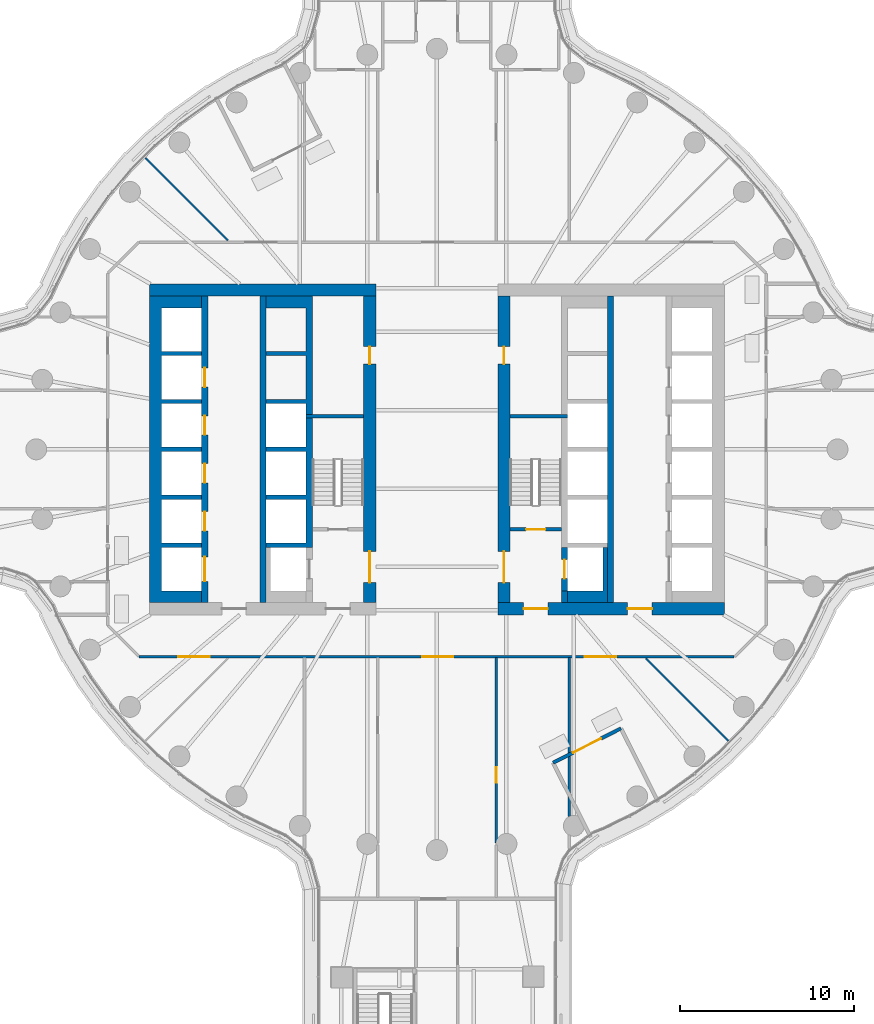
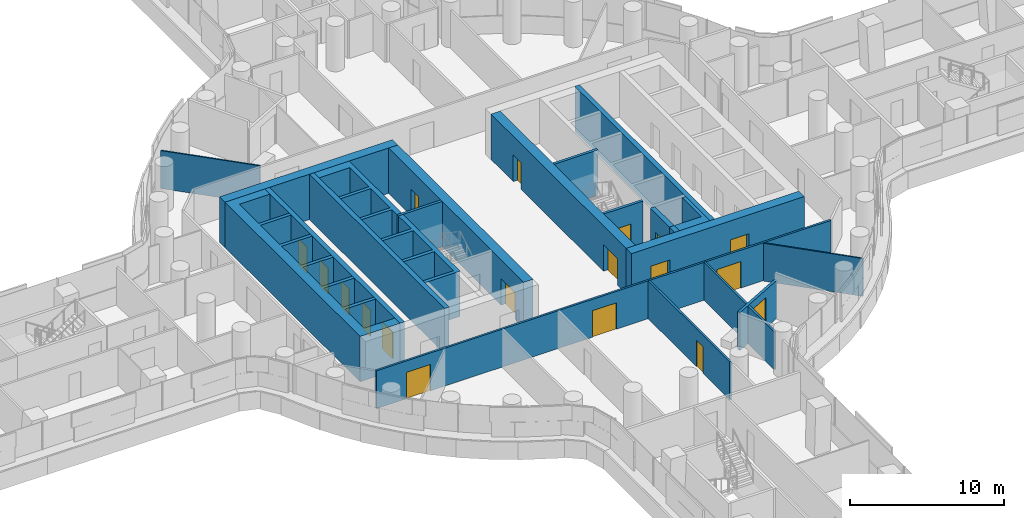
# One storey, part 21 of 32: 21 walls, 18 doors, 18 openings.
"""IFC4 building model written with IfcOpenShell, lengths in metres."""

from ifc_helpers import new_model, si_unit, direction, frame, frame_2d, origin, place, context, subcontext, project, spatial, polyline, rectangle, outline, extrude, material, layer, layer_set, type_object, element, fill, save


model = new_model("IFC4")

# Units and contexts
model_context = context("Model", 3, precision=1e-05, world=origin(), true_north=direction((0.0, 1.0)))
body_context = subcontext(model_context, "Body", "Model", "MODEL_VIEW")
ifc_project = project(units=[si_unit("LENGTHUNIT", "METRE"), si_unit("AREAUNIT", "SQUARE_METRE"), si_unit("VOLUMEUNIT", "CUBIC_METRE"), si_unit("PLANEANGLEUNIT", "RADIAN"), si_unit("MASSUNIT", "GRAM", prefix="KILO")], contexts=[model_context])

# Site, building, storey
site_placement = place(None, origin())
site = spatial("IfcSite", under=ifc_project, at=site_placement, CompositionType="ELEMENT")
building_placement = place(site_placement, origin())
building = spatial("IfcBuilding", under=site, at=building_placement, Name="Tamarind Cross Interchange Tower", CompositionType="ELEMENT")
storey_placement = place(building_placement, frame((0.0, 0.0, 34.0)))
storey = spatial("IfcBuildingStorey", under=building, at=storey_placement, Name="L06", CompositionType="ELEMENT", Elevation=34.0)

# Wall, opening, door
ifc_material_1 = material(Name="Concrete C40", Category="concrete")
ifc_layer_1 = layer(ifc_material_1, 0.199951171875)
ifc_layer_set_1 = layer_set([ifc_layer_1], Name="Concrete C40")
wall_type_1 = type_object("IfcWallType", Name="Balcony and garden door wall", PredefinedType="SOLIDWALL", material=ifc_layer_set_1)
wall_1_placement = place(storey_placement, frame((6.669677734375, -17.99365234375, 0.0), z_axis=(0.0, 0.0, 1.0), x_axis=(0.892213621069, 0.451613611818, 0.0)))
wall_1 = element("IfcWall", 1, at=wall_1_placement, inside=storey, type_object=wall_type_1, Name="EXW-L06-WG-L06-SE", PredefinedType="SOLIDWALL", context=body_context, shape_type="SweptSolid", body=[
    extrude(rectangle(XDim=4.366943359375, YDim=0.199951171875, at=frame_2d((2.18359375, 0.0))), origin(), (0.0, 0.0, 1.0), 3.013916015625),
])
opening_1_placement = place(wall_1_placement, frame((1.283447265625, 0.0, 0.0)))
opening_1 = element("IfcOpeningElement", 2, at=opening_1_placement, cuts=wall_1, Name="Opening D5", PredefinedType="OPENING", context=body_context, shape_type="SweptSolid", body=[
    extrude(rectangle(XDim=1.800048828125, YDim=2.39990234375, at=frame_2d((0.89990234375, 1.199951171875))), frame((0.0, 0.10986328125, 0.0), z_axis=(0.0, -1.0, 0.0), x_axis=(1.0, 0.0, 0.0)), (0.0, 0.0, 1.0), 0.219970703125),
])
ifc_material_2 = material(Name="Aluminium and toughened glass", Category="aluminium")
door_type_1 = type_object("IfcDoorType", Name="Roof garden door", OperationType="DOUBLE_DOOR_SINGLE_SWING", PredefinedType="DOOR", material=ifc_material_2)
door_1_placement = place(opening_1_placement, origin())
door_1 = element("IfcDoor", 3, at=door_1_placement, inside=storey, type_object=door_type_1, Name="DOR-L06-WG-L06-SE", OperationType="SINGLE_SWING_LEFT", OverallHeight=2.39990234375, OverallWidth=1.800048828125, PredefinedType="DOOR", context=body_context, shape_type="SweptSolid", body=[
    extrude(rectangle(XDim=1.800048828125, YDim=2.39990234375, at=frame_2d((0.89990234375, 1.199951171875))), frame((0.0, 0.02490234375, 0.0), z_axis=(0.0, -1.0, 0.0), x_axis=(1.0, 0.0, 0.0)), (0.0, 0.0, 1.0), 0.050048828125),
])
fill(opening_1, door_1)

# Walls
ifc_material_3 = material(Name="Concrete C80", Category="concrete")
ifc_layer_2 = layer(ifc_material_3, 0.699951171875)
ifc_layer_set_2 = layer_set([ifc_layer_2], Name="Concrete C80")
wall_type_2 = type_object("IfcWallType", Name="Core wall 700 mm Concrete C80", PredefinedType="SHEAR", material=ifc_layer_set_2)
wall_2_placement = place(storey_placement, origin())
element("IfcWall", 4, at=wall_2_placement, inside=storey, type_object=wall_type_2, Name="Core wall CWL-L06-W-A", PredefinedType="SHEAR", context=body_context, shape_type="SweptSolid", body=[
    extrude(outline(polyline([(-13.5, -8.800048828125), (-13.5, -8.125), (-15.800048828125, -8.125), (-15.800048828125, -5.625), (-13.5, -5.625), (-13.5, -5.375), (-15.800048828125, -5.375), (-15.800048828125, -2.875), (-13.5, -2.875), (-13.5, -2.625), (-15.800048828125, -2.625), (-15.800048828125, -0.125), (-13.5, -0.125), (-13.5, 0.125), (-15.800048828125, 0.125), (-15.800048828125, 2.625), (-13.5, 2.625), (-13.5, 2.875), (-15.800048828125, 2.875), (-15.800048828125, 5.375), (-13.5, 5.375), (-13.5, 5.625), (-15.800048828125, 5.625), (-15.800048828125, 8.125), (-13.5, 8.125), (-13.5, 8.800048828125), (-15.800048828125, 8.800048828125), (-16.5, 8.800048828125), (-16.5, -8.800048828125), (-15.800048828125, -8.800048828125), (-13.5, -8.800048828125)])), origin(), (0.0, 0.0, 1.0), 3.610107421875),
])
wall_3_placement = place(storey_placement, frame((-16.5, 9.14990234375, 0.0), z_axis=(0.0, 0.0, 1.0), x_axis=(1.0, 0.0, 0.0)))
element("IfcWall", 5, at=wall_3_placement, inside=storey, type_object=wall_type_2, Name="Core wall CWL-L06-W-NE", PredefinedType="SHEAR", context=body_context, shape_type="SweptSolid", body=[
    extrude(rectangle(XDim=13.0, YDim=0.699951171875, at=frame_2d((6.5, 0.0))), origin(), (0.0, 0.0, 1.0), 3.610107421875),
])

# Wall, openings, doors
wall_4_placement = place(storey_placement, frame((-3.85009765625, -8.800048828125, 0.0), z_axis=(0.0, 0.0, 1.0), x_axis=(0.0, 1.0, 0.0)))
wall_4 = element("IfcWall", 6, at=wall_4_placement, inside=storey, type_object=wall_type_2, Name="Core wall CWL-L06-W-IN", PredefinedType="SHEAR", context=body_context, shape_type="SweptSolid", body=[
    extrude(rectangle(XDim=17.60009765625, YDim=0.699951171875, at=frame_2d((8.800048828125, 0.0))), origin(), (0.0, 0.0, 1.0), 3.610107421875),
])
opening_2_placement = place(wall_4_placement, frame((1.14990234375, 0.0, 0.0)))
opening_2 = element("IfcOpeningElement", 7, at=opening_2_placement, cuts=wall_4, Name="Opening DCW4", PredefinedType="OPENING", context=body_context, shape_type="SweptSolid", body=[
    extrude(rectangle(XDim=1.800048828125, YDim=2.10009765625, at=frame_2d((0.89990234375, 1.050048828125))), frame((0.0, 0.35986328125, 0.0), z_axis=(0.0, -1.0, 0.0), x_axis=(1.0, 0.0, 0.0)), (0.0, 0.0, 1.0), 0.719970703125),
])
opening_3_placement = place(wall_4_placement, frame((13.699951171875, 0.0, 0.0)))
opening_3 = element("IfcOpeningElement", 8, at=opening_3_placement, cuts=wall_4, Name="Opening DCW5", PredefinedType="OPENING", context=body_context, shape_type="SweptSolid", body=[
    extrude(rectangle(XDim=1.0, YDim=2.10009765625, at=frame_2d((0.5, 1.050048828125))), frame((0.0, 0.35986328125, 0.0), z_axis=(0.0, -1.0, 0.0), x_axis=(1.0, 0.0, 0.0)), (0.0, 0.0, 1.0), 0.719970703125),
])
ifc_material_4 = material(Name="Steel, fire-resisting", Category="steel")
door_type_2 = type_object("IfcDoorType", Name="Core fire door 1000 x 2100 FD90", OperationType="SINGLE_SWING_LEFT", PredefinedType="DOOR", material=ifc_material_4)
door_2_placement = place(opening_3_placement, origin())
door_2 = element("IfcDoor", 9, at=door_2_placement, inside=storey, type_object=door_type_2, Name="L06 riser room door", OperationType="SINGLE_SWING_LEFT", OverallHeight=2.10009765625, OverallWidth=1.0, PredefinedType="DOOR", context=body_context, shape_type="SweptSolid", body=[
    extrude(rectangle(XDim=1.0, YDim=2.10009765625, at=frame_2d((0.5, 1.050048828125))), frame((0.0, 0.02490234375, 0.0), z_axis=(0.0, -1.0, 0.0), x_axis=(1.0, 0.0, 0.0)), (0.0, 0.0, 1.0), 0.050048828125),
])
fill(opening_3, door_2)
door_type_3 = type_object("IfcDoorType", Name="Core fire door 1800 x 2100 FD90", OperationType="SINGLE_SWING_LEFT", PredefinedType="DOOR", material=ifc_material_4)
door_3_placement = place(opening_2_placement, origin())
door_3 = element("IfcDoor", 10, at=door_3_placement, inside=storey, type_object=door_type_3, Name="L06 firefighting lobby door", OperationType="SINGLE_SWING_LEFT", OverallHeight=2.10009765625, OverallWidth=1.800048828125, PredefinedType="DOOR", context=body_context, shape_type="SweptSolid", body=[
    extrude(rectangle(XDim=1.800048828125, YDim=2.10009765625, at=frame_2d((0.89990234375, 1.050048828125))), frame((0.0, 0.02490234375, 0.0), z_axis=(0.0, -1.0, 0.0), x_axis=(1.0, 0.0, 0.0)), (0.0, 0.0, 1.0), 0.050048828125),
])
fill(opening_2, door_3)

wall_5_placement = place(storey_placement, frame((16.5, -9.14990234375, 0.0), z_axis=(0.0, 0.0, 1.0), x_axis=(-1.0, 0.0, 0.0)))
wall_5 = element("IfcWall", 11, at=wall_5_placement, inside=storey, type_object=wall_type_2, Name="Core wall CWL-L06-E-S", PredefinedType="SHEAR", context=body_context, shape_type="SweptSolid", body=[
    extrude(rectangle(XDim=13.0, YDim=0.699951171875, at=frame_2d((6.5, 0.0))), origin(), (0.0, 0.0, 1.0), 3.610107421875),
])
opening_4_placement = place(wall_5_placement, frame((4.14990234375, 0.0, 0.0)))
opening_4 = element("IfcOpeningElement", 12, at=opening_4_placement, cuts=wall_5, Name="Opening DCE1", PredefinedType="OPENING", context=body_context, shape_type="SweptSolid", body=[
    extrude(rectangle(XDim=1.39990234375, YDim=2.10009765625, at=frame_2d((0.699951171875, 1.050048828125))), frame((0.0, 0.35986328125, 0.0), z_axis=(0.0, -1.0, 0.0), x_axis=(1.0, 0.0, 0.0)), (0.0, 0.0, 1.0), 0.719970703125),
])
opening_5_placement = place(wall_5_placement, frame((10.125, 0.0, 0.0)))
opening_5 = element("IfcOpeningElement", 13, at=opening_5_placement, cuts=wall_5, Name="Opening DCEF", PredefinedType="OPENING", context=body_context, shape_type="SweptSolid", body=[
    extrude(rectangle(XDim=1.39990234375, YDim=2.10009765625, at=frame_2d((0.699951171875, 1.050048828125))), frame((0.0, 0.35986328125, 0.0), z_axis=(0.0, -1.0, 0.0), x_axis=(1.0, 0.0, 0.0)), (0.0, 0.0, 1.0), 0.719970703125),
])
door_type_4 = type_object("IfcDoorType", Name="Core fire door 1400 x 2100 FD90", OperationType="SINGLE_SWING_LEFT", PredefinedType="DOOR", material=ifc_material_4)
door_4_placement = place(opening_4_placement, origin())
door_4 = element("IfcDoor", 14, at=door_4_placement, inside=storey, type_object=door_type_4, Name="L06 lift lobby door", OperationType="SINGLE_SWING_LEFT", OverallHeight=2.10009765625, OverallWidth=1.39990234375, PredefinedType="DOOR", context=body_context, shape_type="SweptSolid", body=[
    extrude(rectangle(XDim=1.39990234375, YDim=2.10009765625, at=frame_2d((0.699951171875, 1.050048828125))), frame((0.0, 0.02490234375, 0.0), z_axis=(0.0, -1.0, 0.0), x_axis=(1.0, 0.0, 0.0)), (0.0, 0.0, 1.0), 0.050048828125),
])
fill(opening_4, door_4)
door_5_placement = place(opening_5_placement, origin())
door_5 = element("IfcDoor", 15, at=door_5_placement, inside=storey, type_object=door_type_4, Name="L06 firefighting lobby end door", OperationType="SINGLE_SWING_LEFT", OverallHeight=2.10009765625, OverallWidth=1.39990234375, PredefinedType="DOOR", context=body_context, shape_type="SweptSolid", body=[
    extrude(rectangle(XDim=1.39990234375, YDim=2.10009765625, at=frame_2d((0.699951171875, 1.050048828125))), frame((0.0, 0.02490234375, 0.0), z_axis=(0.0, -1.0, 0.0), x_axis=(1.0, 0.0, 0.0)), (0.0, 0.0, 1.0), 0.050048828125),
])
fill(opening_5, door_5)

wall_6_placement = place(storey_placement, frame((3.85009765625, -8.800048828125, 0.0), z_axis=(0.0, 0.0, 1.0), x_axis=(0.0, 1.0, 0.0)))
wall_6 = element("IfcWall", 16, at=wall_6_placement, inside=storey, type_object=wall_type_2, Name="Core wall CWL-L06-E-IN", PredefinedType="SHEAR", context=body_context, shape_type="SweptSolid", body=[
    extrude(rectangle(XDim=17.60009765625, YDim=0.699951171875, at=frame_2d((8.800048828125, 0.0))), origin(), (0.0, 0.0, 1.0), 3.610107421875),
])
opening_6_placement = place(wall_6_placement, frame((1.14990234375, 0.0, 0.0)))
opening_6 = element("IfcOpeningElement", 17, at=opening_6_placement, cuts=wall_6, Name="Opening DCE4", PredefinedType="OPENING", context=body_context, shape_type="SweptSolid", body=[
    extrude(rectangle(XDim=1.800048828125, YDim=2.10009765625, at=frame_2d((0.89990234375, 1.050048828125))), frame((0.0, 0.35986328125, 0.0), z_axis=(0.0, -1.0, 0.0), x_axis=(1.0, 0.0, 0.0)), (0.0, 0.0, 1.0), 0.719970703125),
])
opening_7_placement = place(wall_6_placement, frame((13.699951171875, 0.0, 0.0)))
opening_7 = element("IfcOpeningElement", 18, at=opening_7_placement, cuts=wall_6, Name="Opening DCE5", PredefinedType="OPENING", context=body_context, shape_type="SweptSolid", body=[
    extrude(rectangle(XDim=1.0, YDim=2.10009765625, at=frame_2d((0.5, 1.050048828125))), frame((0.0, 0.35986328125, 0.0), z_axis=(0.0, -1.0, 0.0), x_axis=(1.0, 0.0, 0.0)), (0.0, 0.0, 1.0), 0.719970703125),
])
door_6_placement = place(opening_7_placement, origin())
door_6 = element("IfcDoor", 19, at=door_6_placement, inside=storey, type_object=door_type_2, Name="L06 riser room door", OperationType="SINGLE_SWING_LEFT", OverallHeight=2.10009765625, OverallWidth=1.0, PredefinedType="DOOR", context=body_context, shape_type="SweptSolid", body=[
    extrude(rectangle(XDim=1.0, YDim=2.10009765625, at=frame_2d((0.5, 1.050048828125))), frame((0.0, 0.02490234375, 0.0), z_axis=(0.0, -1.0, 0.0), x_axis=(1.0, 0.0, 0.0)), (0.0, 0.0, 1.0), 0.050048828125),
])
fill(opening_7, door_6)
door_7_placement = place(opening_6_placement, origin())
door_7 = element("IfcDoor", 20, at=door_7_placement, inside=storey, type_object=door_type_3, Name="L06 firefighting lobby door", OperationType="SINGLE_SWING_LEFT", OverallHeight=2.10009765625, OverallWidth=1.800048828125, PredefinedType="DOOR", context=body_context, shape_type="SweptSolid", body=[
    extrude(rectangle(XDim=1.800048828125, YDim=2.10009765625, at=frame_2d((0.89990234375, 1.050048828125))), frame((0.0, 0.02490234375, 0.0), z_axis=(0.0, -1.0, 0.0), x_axis=(1.0, 0.0, 0.0)), (0.0, 0.0, 1.0), 0.050048828125),
])
fill(opening_6, door_7)

# Walls
ifc_layer_3 = layer(ifc_material_3, 0.199951171875)
ifc_layer_set_3 = layer_set([ifc_layer_3], Name="Concrete C80")
wall_type_3 = type_object("IfcWallType", Name="Core web wall 200 mm Concrete C80", PredefinedType="SHEAR", material=ifc_layer_set_3)
for number, where, z_axis, x_axis, name in (
    (21, (-7.5, 1.89990234375, 0.0), (0.0, 0.0, 1.0), (1.0, 0.0, 0.0), "Core wall CWL-L06-W-BD"),
    (22, (7.5, 1.89990234375, 0.0), (0.0, 0.0, 1.0), (-1.0, 0.0, 0.0), "Core wall CWL-L06-E-BD"),
):
    element("IfcWall", number, at=place(storey_placement, frame(where, z_axis=z_axis, x_axis=x_axis)), inside=storey, type_object=wall_type_3, Name=name, PredefinedType="SHEAR", context=body_context, shape_type="SweptSolid", body=[
        extrude(rectangle(XDim=3.300048828125, YDim=0.199951171875, at=frame_2d((1.64990234375, 0.0))), origin(), (0.0, 0.0, 1.0), 3.610107421875),
    ])
ifc_layer_4 = layer(ifc_material_3, 0.35009765625)
ifc_layer_set_4 = layer_set([ifc_layer_4], Name="Concrete C80")
wall_type_4 = type_object("IfcWallType", Name="Core web wall 350 mm Concrete C80", PredefinedType="SHEAR", material=ifc_layer_set_4)
wall_7_placement = place(storey_placement, origin())
element("IfcWall", 23, at=wall_7_placement, inside=storey, type_object=wall_type_4, Name="Core wall CWL-L06-W-BN", PredefinedType="SHEAR", context=body_context, shape_type="SweptSolid", body=[
    extrude(outline(polyline([(-9.800048828125, -5.375), (-9.800048828125, -5.625), (-7.5, -5.625), (-7.14990234375, -5.625), (-7.14990234375, 8.800048828125), (-7.5, 8.800048828125), (-9.800048828125, 8.800048828125), (-9.800048828125, 8.125), (-7.5, 8.125), (-7.5, 5.625), (-9.800048828125, 5.625), (-9.800048828125, 5.375), (-7.5, 5.375), (-7.5, 2.875), (-9.800048828125, 2.875), (-9.800048828125, 2.625), (-7.5, 2.625), (-7.5, 0.125), (-9.800048828125, 0.125), (-9.800048828125, -0.125), (-7.5, -0.125), (-7.5, -2.625), (-9.800048828125, -2.625), (-9.800048828125, -2.875), (-7.5, -2.875), (-7.5, -5.375), (-9.800048828125, -5.375)])), origin(), (0.0, 0.0, 1.0), 3.610107421875),
])

# Wall, openings, doors
wall_8_placement = place(storey_placement, frame((-13.324951171875, -8.800048828125, 0.0), z_axis=(0.0, 0.0, 1.0), x_axis=(0.0, 1.0, 0.0)))
wall_8 = element("IfcWall", 24, at=wall_8_placement, inside=storey, type_object=wall_type_4, Name="Core wall CWL-L06-W-LA", PredefinedType="SHEAR", context=body_context, shape_type="SweptSolid", body=[
    extrude(rectangle(XDim=17.60009765625, YDim=0.35009765625, at=frame_2d((8.800048828125, 0.0))), origin(), (0.0, 0.0, 1.0), 3.610107421875),
])
opening_8_placement = place(wall_8_placement, frame((1.22509765625, 0.0, 0.0)))
opening_8 = element("IfcOpeningElement", 25, at=opening_8_placement, cuts=wall_8, Name="Opening LD1L06", PredefinedType="OPENING", context=body_context, shape_type="SweptSolid", body=[
    extrude(rectangle(XDim=1.39990234375, YDim=2.10009765625, at=frame_2d((0.699951171875, 1.050048828125))), frame((0.0, 0.18505859375, 0.0), z_axis=(0.0, -1.0, 0.0), x_axis=(1.0, 0.0, 0.0)), (0.0, 0.0, 1.0), 0.3701171875),
])
opening_9_placement = place(wall_8_placement, frame((4.125, 0.0, 0.0)))
opening_9 = element("IfcOpeningElement", 26, at=opening_9_placement, cuts=wall_8, Name="Opening LD2L06", PredefinedType="OPENING", context=body_context, shape_type="SweptSolid", body=[
    extrude(rectangle(XDim=1.10009765625, YDim=2.10009765625, at=frame_2d((0.550048828125, 1.050048828125))), frame((0.0, 0.18505859375, 0.0), z_axis=(0.0, -1.0, 0.0), x_axis=(1.0, 0.0, 0.0)), (0.0, 0.0, 1.0), 0.3701171875),
])
opening_10_placement = place(wall_8_placement, frame((6.875, 0.0, 0.0)))
opening_10 = element("IfcOpeningElement", 27, at=opening_10_placement, cuts=wall_8, Name="Opening LD3L06", PredefinedType="OPENING", context=body_context, shape_type="SweptSolid", body=[
    extrude(rectangle(XDim=1.10009765625, YDim=2.10009765625, at=frame_2d((0.550048828125, 1.050048828125))), frame((0.0, 0.18505859375, 0.0), z_axis=(0.0, -1.0, 0.0), x_axis=(1.0, 0.0, 0.0)), (0.0, 0.0, 1.0), 0.3701171875),
])
opening_11_placement = place(wall_8_placement, frame((9.625, 0.0, 0.0)))
opening_11 = element("IfcOpeningElement", 28, at=opening_11_placement, cuts=wall_8, Name="Opening LD4L06", PredefinedType="OPENING", context=body_context, shape_type="SweptSolid", body=[
    extrude(rectangle(XDim=1.10009765625, YDim=2.10009765625, at=frame_2d((0.550048828125, 1.050048828125))), frame((0.0, 0.18505859375, 0.0), z_axis=(0.0, -1.0, 0.0), x_axis=(1.0, 0.0, 0.0)), (0.0, 0.0, 1.0), 0.3701171875),
])
opening_12_placement = place(wall_8_placement, frame((12.375, 0.0, 0.0)))
opening_12 = element("IfcOpeningElement", 29, at=opening_12_placement, cuts=wall_8, Name="Opening LD5L06", PredefinedType="OPENING", context=body_context, shape_type="SweptSolid", body=[
    extrude(rectangle(XDim=1.10009765625, YDim=2.10009765625, at=frame_2d((0.550048828125, 1.050048828125))), frame((0.0, 0.18505859375, 0.0), z_axis=(0.0, -1.0, 0.0), x_axis=(1.0, 0.0, 0.0)), (0.0, 0.0, 1.0), 0.3701171875),
])
ifc_material_5 = material(Name="Stainless steel panel", Category="steel")
door_type_5 = type_object("IfcDoorType", Name="Lift landing door 1100 x 2100 E 120", OperationType="SLIDING_TO_LEFT", PredefinedType="DOOR", material=ifc_material_5)
door_8_placement = place(opening_9_placement, origin())
door_8 = element("IfcDoor", 30, at=door_8_placement, inside=storey, type_object=door_type_5, Name="L06 landing door LF2", OperationType="SLIDING_TO_LEFT", OverallHeight=2.10009765625, OverallWidth=1.10009765625, PredefinedType="DOOR", context=body_context, shape_type="SweptSolid", body=[
    extrude(rectangle(XDim=1.10009765625, YDim=2.10009765625, at=frame_2d((0.550048828125, 1.050048828125))), frame((0.0, 0.02490234375, 0.0), z_axis=(0.0, -1.0, 0.0), x_axis=(1.0, 0.0, 0.0)), (0.0, 0.0, 1.0), 0.050048828125),
])
fill(opening_9, door_8)
door_9_placement = place(opening_10_placement, origin())
door_9 = element("IfcDoor", 31, at=door_9_placement, inside=storey, type_object=door_type_5, Name="L06 landing door LF3", OperationType="SLIDING_TO_LEFT", OverallHeight=2.10009765625, OverallWidth=1.10009765625, PredefinedType="DOOR", context=body_context, shape_type="SweptSolid", body=[
    extrude(rectangle(XDim=1.10009765625, YDim=2.10009765625, at=frame_2d((0.550048828125, 1.050048828125))), frame((0.0, 0.02490234375, 0.0), z_axis=(0.0, -1.0, 0.0), x_axis=(1.0, 0.0, 0.0)), (0.0, 0.0, 1.0), 0.050048828125),
])
fill(opening_10, door_9)
door_10_placement = place(opening_11_placement, origin())
door_10 = element("IfcDoor", 32, at=door_10_placement, inside=storey, type_object=door_type_5, Name="L06 landing door LF4", OperationType="SLIDING_TO_LEFT", OverallHeight=2.10009765625, OverallWidth=1.10009765625, PredefinedType="DOOR", context=body_context, shape_type="SweptSolid", body=[
    extrude(rectangle(XDim=1.10009765625, YDim=2.10009765625, at=frame_2d((0.550048828125, 1.050048828125))), frame((0.0, 0.02490234375, 0.0), z_axis=(0.0, -1.0, 0.0), x_axis=(1.0, 0.0, 0.0)), (0.0, 0.0, 1.0), 0.050048828125),
])
fill(opening_11, door_10)
door_11_placement = place(opening_12_placement, origin())
door_11 = element("IfcDoor", 33, at=door_11_placement, inside=storey, type_object=door_type_5, Name="L06 landing door LF5", OperationType="SLIDING_TO_LEFT", OverallHeight=2.10009765625, OverallWidth=1.10009765625, PredefinedType="DOOR", context=body_context, shape_type="SweptSolid", body=[
    extrude(rectangle(XDim=1.10009765625, YDim=2.10009765625, at=frame_2d((0.550048828125, 1.050048828125))), frame((0.0, 0.02490234375, 0.0), z_axis=(0.0, -1.0, 0.0), x_axis=(1.0, 0.0, 0.0)), (0.0, 0.0, 1.0), 0.050048828125),
])
fill(opening_12, door_11)
door_type_6 = type_object("IfcDoorType", Name="Lift landing door 1400 x 2100 E 120", OperationType="SLIDING_TO_LEFT", PredefinedType="DOOR", material=ifc_material_5)
door_12_placement = place(opening_8_placement, origin())
door_12 = element("IfcDoor", 34, at=door_12_placement, inside=storey, type_object=door_type_6, Name="L06 landing door LF1", OperationType="SLIDING_TO_LEFT", OverallHeight=2.10009765625, OverallWidth=1.39990234375, PredefinedType="DOOR", context=body_context, shape_type="SweptSolid", body=[
    extrude(rectangle(XDim=1.39990234375, YDim=2.10009765625, at=frame_2d((0.699951171875, 1.050048828125))), frame((0.0, 0.02490234375, 0.0), z_axis=(0.0, -1.0, 0.0), x_axis=(1.0, 0.0, 0.0)), (0.0, 0.0, 1.0), 0.050048828125),
])
fill(opening_8, door_12)

# Walls
wall_9_placement = place(storey_placement, frame((-9.97509765625, -8.800048828125, 0.0), z_axis=(0.0, 0.0, 1.0), x_axis=(0.0, 1.0, 0.0)))
element("IfcWall", 35, at=wall_9_placement, inside=storey, type_object=wall_type_4, Name="Core wall CWL-L06-W-LB", PredefinedType="SHEAR", context=body_context, shape_type="SweptSolid", body=[
    extrude(rectangle(XDim=17.60009765625, YDim=0.35009765625, at=frame_2d((8.800048828125, 0.0))), origin(), (0.0, 0.0, 1.0), 3.610107421875),
])
wall_10_placement = place(storey_placement, origin())
element("IfcWall", 36, at=wall_10_placement, inside=storey, type_object=wall_type_4, Name="Core wall CWL-L06-E-BS", PredefinedType="SHEAR", context=body_context, shape_type="SweptSolid", body=[
    extrude(outline(polyline([(7.5, -8.125), (7.5, -8.800048828125), (9.800048828125, -8.800048828125), (9.800048828125, -8.125), (9.800048828125, -5.625), (9.550048828125, -5.625), (9.550048828125, -8.125), (7.5, -8.125)])), origin(), (0.0, 0.0, 1.0), 3.610107421875),
])
wall_11_placement = place(storey_placement, frame((7.324951171875, -8.800048828125, 0.0), z_axis=(0.0, 0.0, 1.0), x_axis=(0.0, 1.0, 0.0)))
element("IfcWall", 37, at=wall_11_placement, inside=storey, type_object=wall_type_4, Name="Core wall CWL-L06-E-BW", PredefinedType="SHEAR", context=body_context, shape_type="SweptSolid", body=[
    extrude(rectangle(XDim=0.675048828125, YDim=0.35009765625, at=frame_2d((0.33740234375, 0.0))), origin(), (0.0, 0.0, 1.0), 3.610107421875),
])
wall_12_placement = place(storey_placement, frame((9.97509765625, -8.800048828125, 0.0), z_axis=(0.0, 0.0, 1.0), x_axis=(0.0, 1.0, 0.0)))
element("IfcWall", 38, at=wall_12_placement, inside=storey, type_object=wall_type_4, Name="Core wall CWL-L06-E-LB", PredefinedType="SHEAR", context=body_context, shape_type="SweptSolid", body=[
    extrude(rectangle(XDim=17.60009765625, YDim=0.35009765625, at=frame_2d((8.800048828125, 0.0))), origin(), (0.0, 0.0, 1.0), 3.610107421875),
])

# Wall, opening, door
wall_13_placement = place(storey_placement, frame((7.324951171875, -8.125, 0.0), z_axis=(0.0, 0.0, 1.0), x_axis=(0.0, 1.0, 0.0)))
wall_13 = element("IfcWall", 39, at=wall_13_placement, inside=storey, type_object=wall_type_4, Name="Core wall CWL-L06-E-FF", PredefinedType="SHEAR", context=body_context, shape_type="SweptSolid", body=[
    extrude(rectangle(XDim=2.5, YDim=0.35009765625, at=frame_2d((1.25, 0.0))), origin(), (0.0, 0.0, 1.0), 3.610107421875),
])
opening_13_placement = place(wall_13_placement, frame((0.699951171875, 0.0, 0.0)))
opening_13 = element("IfcOpeningElement", 40, at=opening_13_placement, cuts=wall_13, Name="Opening LD19L06", PredefinedType="OPENING", context=body_context, shape_type="SweptSolid", body=[
    extrude(rectangle(XDim=1.10009765625, YDim=2.10009765625, at=frame_2d((0.550048828125, 1.050048828125))), frame((0.0, 0.18505859375, 0.0), z_axis=(0.0, -1.0, 0.0), x_axis=(1.0, 0.0, 0.0)), (0.0, 0.0, 1.0), 0.3701171875),
])
door_13_placement = place(opening_13_placement, origin())
door_13 = element("IfcDoor", 41, at=door_13_placement, inside=storey, type_object=door_type_5, Name="L06 landing door LF19", OperationType="SLIDING_TO_LEFT", OverallHeight=2.10009765625, OverallWidth=1.10009765625, PredefinedType="DOOR", context=body_context, shape_type="SweptSolid", body=[
    extrude(rectangle(XDim=1.10009765625, YDim=2.10009765625, at=frame_2d((0.550048828125, 1.050048828125))), frame((0.0, 0.02490234375, 0.0), z_axis=(0.0, -1.0, 0.0), x_axis=(1.0, 0.0, 0.0)), (0.0, 0.0, 1.0), 0.050048828125),
])
fill(opening_13, door_13)

# Walls
ifc_material_6 = material(Name="Gypsum board partition on steel studs", Category="steel")
ifc_layer_5 = layer(ifc_material_6, 0.10009765625)
ifc_layer_set_5 = layer_set([ifc_layer_5], Name="Gypsum board partition on steel studs")
wall_type_5 = type_object("IfcWallType", Name="Partition 100 mm EI 90", PredefinedType="PARTITIONING", material=ifc_layer_set_5)
for number, where, z_axis, x_axis, name in (
    (42, (-16.740478515625, 16.740478515625, 0.0), (0.0, 0.0, 1.0), (0.707106781187, -0.707106781187, 0.0), "Partition L06-002"),
    (43, (11.991943359375, -11.991943359375, 0.0), (0.0, 0.0, 1.0), (0.707106781187, -0.707106781187, 0.0), "Partition L06-003"),
):
    element("IfcWall", number, at=place(storey_placement, frame(where, z_axis=z_axis, x_axis=x_axis)), inside=storey, type_object=wall_type_5, Name=name, PredefinedType="PARTITIONING", context=body_context, shape_type="SweptSolid", body=[
        extrude(rectangle(XDim=6.71533203125, YDim=0.10009765625, at=frame_2d((3.357666015625, 0.0))), origin(), (0.0, 0.0, 1.0), 3.010009765625),
    ])

# Wall, openings, doors
ifc_layer_6 = layer(ifc_material_6, 0.14990234375)
ifc_layer_set_6 = layer_set([ifc_layer_6], Name="Gypsum board partition on steel studs")
wall_type_6 = type_object("IfcWallType", Name="Partition 150 mm EI 120", PredefinedType="PARTITIONING", material=ifc_layer_set_6)
wall_14_placement = place(storey_placement, frame((-17.10009765625, -11.89990234375, 0.0), z_axis=(0.0, 0.0, 1.0), x_axis=(1.0, 0.0, 0.0)))
wall_14 = element("IfcWall", 44, at=wall_14_placement, inside=storey, type_object=wall_type_6, Name="Partition L06-027", PredefinedType="PARTITIONING", context=body_context, shape_type="SweptSolid", body=[
    extrude(rectangle(XDim=34.1650390625, YDim=0.14990234375, at=frame_2d((17.08251953125, 0.0))), origin(), (0.0, 0.0, 1.0), 3.010009765625),
])
opening_14_placement = place(wall_14_placement, frame((16.25, 0.0, 0.0)))
opening_14 = element("IfcOpeningElement", 45, at=opening_14_placement, cuts=wall_14, Name="Opening D07", PredefinedType="OPENING", context=body_context, shape_type="SweptSolid", body=[
    extrude(rectangle(XDim=1.800048828125, YDim=2.10009765625, at=frame_2d((0.89990234375, 1.050048828125))), frame((0.0, 0.0849609375, 0.0), z_axis=(0.0, -1.0, 0.0), x_axis=(1.0, 0.0, 0.0)), (0.0, 0.0, 1.0), 0.169921875),
])
opening_15_placement = place(wall_14_placement, frame((2.25, 0.0, 0.0)))
opening_15 = element("IfcOpeningElement", 46, at=opening_15_placement, cuts=wall_14, Name="Opening D08", PredefinedType="OPENING", context=body_context, shape_type="SweptSolid", body=[
    extrude(rectangle(XDim=1.800048828125, YDim=2.10009765625, at=frame_2d((0.89990234375, 1.050048828125))), frame((0.0, 0.0849609375, 0.0), z_axis=(0.0, -1.0, 0.0), x_axis=(1.0, 0.0, 0.0)), (0.0, 0.0, 1.0), 0.169921875),
])
opening_16_placement = place(wall_14_placement, frame((25.60009765625, 0.0, 0.0)))
opening_16 = element("IfcOpeningElement", 47, at=opening_16_placement, cuts=wall_14, Name="Opening D09", PredefinedType="OPENING", context=body_context, shape_type="SweptSolid", body=[
    extrude(rectangle(XDim=1.800048828125, YDim=2.10009765625, at=frame_2d((0.89990234375, 1.050048828125))), frame((0.0, 0.0849609375, 0.0), z_axis=(0.0, -1.0, 0.0), x_axis=(1.0, 0.0, 0.0)), (0.0, 0.0, 1.0), 0.169921875),
])
ifc_material_7 = material(Name="Fire-resisting door set")
door_type_7 = type_object("IfcDoorType", Name="Interior door 1800 x 2100 FD60S", OperationType="DOUBLE_DOOR_SINGLE_SWING", PredefinedType="DOOR", material=ifc_material_7)
door_14_placement = place(opening_14_placement, origin())
door_14 = element("IfcDoor", 48, at=door_14_placement, inside=storey, type_object=door_type_7, Name="Door D07", OperationType="DOUBLE_DOOR_SINGLE_SWING", OverallHeight=2.10009765625, OverallWidth=1.800048828125, PredefinedType="DOOR", context=body_context, shape_type="SweptSolid", body=[
    extrude(rectangle(XDim=1.800048828125, YDim=2.10009765625, at=frame_2d((0.89990234375, 1.050048828125))), frame((0.0, 0.02490234375, 0.0), z_axis=(0.0, -1.0, 0.0), x_axis=(1.0, 0.0, 0.0)), (0.0, 0.0, 1.0), 0.050048828125),
])
fill(opening_14, door_14)
door_15_placement = place(opening_15_placement, frame((1.800048828125, 0.0, 0.0), z_axis=(0.0, 0.0, 1.0), x_axis=(-1.0, 0.0, 0.0)))
door_15 = element("IfcDoor", 49, at=door_15_placement, inside=storey, type_object=door_type_7, Name="Door D08", OperationType="DOUBLE_DOOR_SINGLE_SWING", OverallHeight=2.10009765625, OverallWidth=1.800048828125, PredefinedType="DOOR", context=body_context, shape_type="SweptSolid", body=[
    extrude(rectangle(XDim=1.800048828125, YDim=2.10009765625, at=frame_2d((0.89990234375, 1.050048828125))), frame((0.0, 0.02490234375, 0.0), z_axis=(0.0, -1.0, 0.0), x_axis=(1.0, 0.0, 0.0)), (0.0, 0.0, 1.0), 0.050048828125),
])
fill(opening_15, door_15)
door_16_placement = place(opening_16_placement, frame((1.800048828125, 0.0, 0.0), z_axis=(0.0, 0.0, 1.0), x_axis=(-1.0, 0.0, 0.0)))
door_16 = element("IfcDoor", 50, at=door_16_placement, inside=storey, type_object=door_type_7, Name="Door D09", OperationType="DOUBLE_DOOR_SINGLE_SWING", OverallHeight=2.10009765625, OverallWidth=1.800048828125, PredefinedType="DOOR", context=body_context, shape_type="SweptSolid", body=[
    extrude(rectangle(XDim=1.800048828125, YDim=2.10009765625, at=frame_2d((0.89990234375, 1.050048828125))), frame((0.0, 0.02490234375, 0.0), z_axis=(0.0, -1.0, 0.0), x_axis=(1.0, 0.0, 0.0)), (0.0, 0.0, 1.0), 0.050048828125),
])
fill(opening_16, door_16)

# Wall, opening, door
wall_15_placement = place(storey_placement, frame((3.39990234375, -22.590576171875, 0.0), z_axis=(0.0, 0.0, 1.0), x_axis=(0.0, 1.0, 0.0)))
wall_15 = element("IfcWall", 51, at=wall_15_placement, inside=storey, type_object=wall_type_6, Name="Partition L06-069", PredefinedType="PARTITIONING", context=body_context, shape_type="SweptSolid", body=[
    extrude(rectangle(XDim=10.635498046875, YDim=0.14990234375, at=frame_2d((5.31787109375, 0.0))), origin(), (0.0, 0.0, 1.0), 3.010009765625),
])
opening_17_placement = place(wall_15_placement, frame((3.449951171875, 0.0, 0.0)))
opening_17 = element("IfcOpeningElement", 52, at=opening_17_placement, cuts=wall_15, Name="Opening D34", PredefinedType="OPENING", context=body_context, shape_type="SweptSolid", body=[
    extrude(rectangle(XDim=0.89990234375, YDim=2.10009765625, at=frame_2d((0.449951171875, 1.050048828125))), frame((0.0, 0.0849609375, 0.0), z_axis=(0.0, -1.0, 0.0), x_axis=(1.0, 0.0, 0.0)), (0.0, 0.0, 1.0), 0.169921875),
])
door_type_8 = type_object("IfcDoorType", Name="Interior door 900 x 2100 FD60S", OperationType="SINGLE_SWING_LEFT", PredefinedType="DOOR", material=ifc_material_7)
door_17_placement = place(opening_17_placement, frame((0.89990234375, 0.0, 0.0), z_axis=(0.0, 0.0, 1.0), x_axis=(-1.0, 0.0, 0.0)))
door_17 = element("IfcDoor", 53, at=door_17_placement, inside=storey, type_object=door_type_8, Name="Door D34", OperationType="SINGLE_SWING_LEFT", OverallHeight=2.10009765625, OverallWidth=0.89990234375, PredefinedType="DOOR", context=body_context, shape_type="SweptSolid", body=[
    extrude(rectangle(XDim=0.89990234375, YDim=2.10009765625, at=frame_2d((0.449951171875, 1.050048828125))), frame((0.0, 0.02490234375, 0.0), z_axis=(0.0, -1.0, 0.0), x_axis=(1.0, 0.0, 0.0)), (0.0, 0.0, 1.0), 0.050048828125),
])
fill(opening_17, door_17)

# Wall
wall_16_placement = place(storey_placement, frame((7.60009765625, -21.07421875, 0.0), z_axis=(0.0, 0.0, 1.0), x_axis=(0.0, 1.0, 0.0)))
element("IfcWall", 54, at=wall_16_placement, inside=storey, type_object=wall_type_6, Name="Partition L06-073", PredefinedType="PARTITIONING", context=body_context, shape_type="SweptSolid", body=[
    extrude(rectangle(XDim=9.119140625, YDim=0.14990234375, at=frame_2d((4.5595703125, 0.0))), origin(), (0.0, 0.0, 1.0), 3.010009765625),
])

# Wall, opening, door
ifc_layer_7 = layer(ifc_material_1, 0.199951171875)
ifc_layer_set_7 = layer_set([ifc_layer_7], Name="Concrete C40")
wall_type_7 = type_object("IfcWallType", Name="Stair shaft wall 200 mm Concrete C40", PredefinedType="SHEAR", material=ifc_layer_set_7)
wall_17_placement = place(storey_placement, frame((7.14990234375, -4.60009765625, 0.0), z_axis=(0.0, 0.0, 1.0), x_axis=(-1.0, 0.0, 0.0)))
wall_17 = element("IfcWall", 55, at=wall_17_placement, inside=storey, type_object=wall_type_7, Name="Core wall CWL-L06-E-SD", PredefinedType="SHEAR", context=body_context, shape_type="SweptSolid", body=[
    extrude(rectangle(XDim=2.949951171875, YDim=0.199951171875, at=frame_2d((1.47509765625, 0.0))), origin(), (0.0, 0.0, 1.0), 3.610107421875),
])
opening_18_placement = place(wall_17_placement, frame((0.925048828125, 0.0, 0.0)))
opening_18 = element("IfcOpeningElement", 56, at=opening_18_placement, cuts=wall_17, Name="Opening DCE6", PredefinedType="OPENING", context=body_context, shape_type="SweptSolid", body=[
    extrude(rectangle(XDim=1.10009765625, YDim=2.10009765625, at=frame_2d((0.550048828125, 1.050048828125))), frame((0.0, 0.10986328125, 0.0), z_axis=(0.0, -1.0, 0.0), x_axis=(1.0, 0.0, 0.0)), (0.0, 0.0, 1.0), 0.219970703125),
])
door_type_9 = type_object("IfcDoorType", Name="Core fire door 1100 x 2100 FD90", OperationType="SINGLE_SWING_LEFT", PredefinedType="DOOR", material=ifc_material_4)
door_18_placement = place(opening_18_placement, origin())
door_18 = element("IfcDoor", 57, at=door_18_placement, inside=storey, type_object=door_type_9, Name="L06 stair door", OperationType="SINGLE_SWING_LEFT", OverallHeight=2.10009765625, OverallWidth=1.10009765625, PredefinedType="DOOR", context=body_context, shape_type="SweptSolid", body=[
    extrude(rectangle(XDim=1.10009765625, YDim=2.10009765625, at=frame_2d((0.550048828125, 1.050048828125))), frame((0.0, 0.02490234375, 0.0), z_axis=(0.0, -1.0, 0.0), x_axis=(1.0, 0.0, 0.0)), (0.0, 0.0, 1.0), 0.050048828125),
])
fill(opening_18, door_18)

save(model, "model.ifc")
